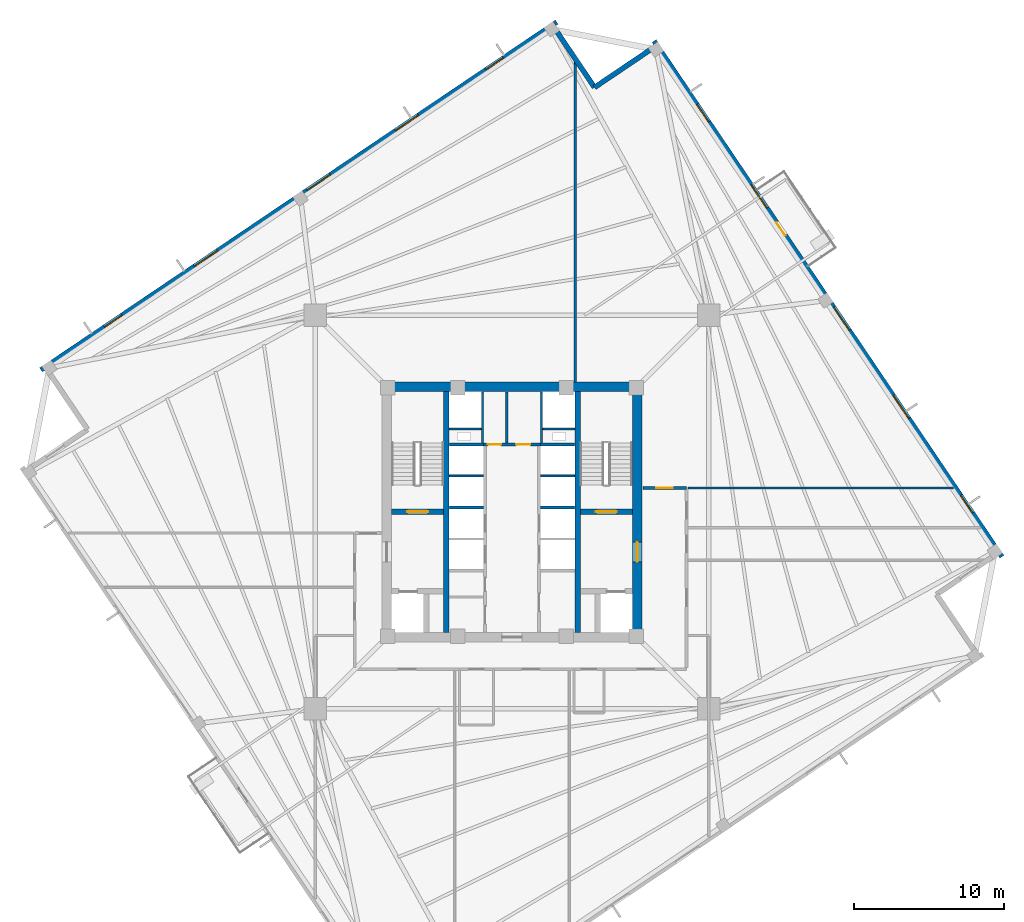
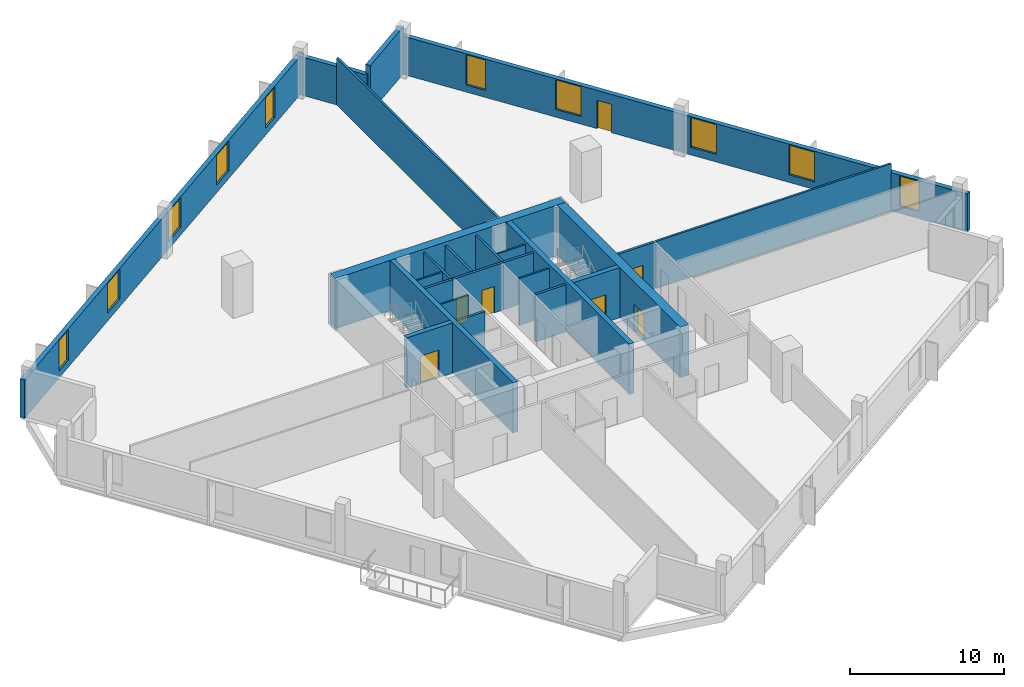
# One storey, part 5 of 9: 25 walls, 10 windows, 7 doors, 17 openings.
"""IFC4 building model written with IfcOpenShell, lengths in metres."""

from ifc_helpers import new_model, si_unit, direction, frame, frame_2d, origin, place, context, subcontext, project, spatial, rectangle, extrude, source, transform, mapped, material, layer, layer_set, type_object, element, fill, save


model = new_model("IFC4")

# Units and contexts
model_context = context("Model", 3, precision=1e-05, world=origin(), true_north=direction((0.0, 1.0)))
body_context = subcontext(model_context, "Body", "Model", "MODEL_VIEW")
ifc_project = project(units=[si_unit("LENGTHUNIT", "METRE"), si_unit("AREAUNIT", "SQUARE_METRE"), si_unit("VOLUMEUNIT", "CUBIC_METRE"), si_unit("PLANEANGLEUNIT", "RADIAN"), si_unit("MASSUNIT", "GRAM", prefix="KILO"), si_unit("THERMODYNAMICTEMPERATUREUNIT", "KELVIN")], contexts=[model_context])

# Site, building, storey
site_placement = place(None, origin())
site = spatial("IfcSite", under=ifc_project, at=site_placement, CompositionType="ELEMENT")
building_placement = place(site_placement, origin())
building = spatial("IfcBuilding", under=site, at=building_placement, Name="Kosmvard Interchange Tower", CompositionType="ELEMENT")
storey_placement = place(building_placement, frame((0.0, 0.0, 168.39990234375)))
storey = spatial("IfcBuildingStorey", under=building, at=storey_placement, Name="L40", CompositionType="ELEMENT", Elevation=168.39990234375)

# Walls
ifc_material_1 = material(Name="Acoustic gypsum partition system")
ifc_layer_1 = layer(ifc_material_1, 0.14990234375, Name="Acoustic gypsum partition system")
ifc_layer_set_1 = layer_set([ifc_layer_1], Name="Acoustic gypsum partition system")
wall_type_1 = type_object("IfcWallType", Name="Acoustic Suite & Meeting Partition 150", PredefinedType="PARTITIONING", material=ifc_layer_set_1)
wall_1_placement = place(storey_placement, frame((4.199951171875, 8.655029296875, 0.0), z_axis=(0.0, 0.0, 1.0), x_axis=(0.0, 1.0, 0.0)))
element("IfcWall", 1, at=wall_1_placement, inside=storey, type_object=wall_type_1, Name="L40 Room Partition 01.1", PredefinedType="PARTITIONING", context=body_context, shape_type="SweptSolid", body=[
    extrude(rectangle(XDim=21.286376953125, YDim=0.14990234375, at=frame_2d((10.64306640625, 0.0))), origin(), (0.0, 0.0, 1.0), 3.739990234375),
])
wall_2_placement = place(storey_placement, frame((11.695068359375, 1.60009765625, 0.0), z_axis=(0.0, 0.0, 1.0), x_axis=(1.0, 0.0, 0.0)))
element("IfcWall", 2, at=wall_2_placement, inside=storey, type_object=wall_type_1, Name="L40 Room Partition 04.1", PredefinedType="PARTITIONING", context=body_context, shape_type="SweptSolid", body=[
    extrude(rectangle(XDim=17.652587890625, YDim=0.14990234375, at=frame_2d((8.826171875, 0.0))), origin(), (0.0, 0.0, 1.0), 3.739990234375),
])
ifc_material_2 = material(Name="Fire-rated gypsum partition system")
ifc_layer_2 = layer(ifc_material_2, 0.159912109375, Name="Fire-rated gypsum partition system")
ifc_layer_set_2 = layer_set([ifc_layer_2], Name="Fire-rated gypsum partition system")
wall_type_2 = type_object("IfcWallType", Name="Core Compartment & Shuttle Lobby Partition 160", PredefinedType="PARTITIONING", material=ifc_layer_set_2)
for number, where, z_axis, x_axis, name in (
    (3, (-1.9599609375, 4.580078125, 0.0), (0.0, 0.0, 1.0), (0.0, 1.0, 0.0), "L40 North Core West Wall"),
    (4, (1.9599609375, 4.580078125, 0.0), (0.0, 0.0, 1.0), (0.0, 1.0, 0.0), "L40 North Core East Wall"),
):
    element("IfcWall", number, at=place(storey_placement, frame(where, z_axis=z_axis, x_axis=x_axis)), inside=storey, type_object=wall_type_2, Name=name, PredefinedType="PARTITIONING", context=body_context, shape_type="SweptSolid", body=[
        extrude(rectangle(XDim=3.39990234375, YDim=0.159912109375, at=frame_2d((1.699951171875, 0.0))), origin(), (0.0, 0.0, 1.0), 3.739990234375),
    ])
ifc_material_3 = material(Name="Concrete blockwork masonry", Category="masonry")
ifc_layer_3 = layer(ifc_material_3, 0.159912109375, Name="Concrete blockwork masonry")
ifc_layer_set_3 = layer_set([ifc_layer_3], Name="Concrete blockwork masonry")
wall_type_3 = type_object("IfcWallType", Name="Core Enclosure Split Wall 160", PredefinedType="PARTITIONING", material=ifc_layer_set_3)
wall_3_placement = place(storey_placement, frame((-0.35009765625, 4.60009765625, 0.0), z_axis=(0.0, 0.0, 1.0), x_axis=(0.0, 1.0, 0.0)))
element("IfcWall", 5, at=wall_3_placement, inside=storey, type_object=wall_type_3, Name="L40 Core K2 Split Wall", PredefinedType="PARTITIONING", context=body_context, shape_type="SweptSolid", body=[
    extrude(rectangle(XDim=3.3798828125, YDim=0.159912109375, at=frame_2d((1.68994140625, 0.0))), origin(), (0.0, 0.0, 1.0), 3.739990234375),
])

# Wall, openings, doors
ifc_layer_4 = layer(ifc_material_2, 0.179931640625, Name="Fire-rated gypsum partition system")
ifc_layer_set_4 = layer_set([ifc_layer_4], Name="Fire-rated gypsum partition system")
wall_type_4 = type_object("IfcWallType", Name="Corridor & Hotel Compartment Partition 180", PredefinedType="PARTITIONING", material=ifc_layer_set_4)
wall_4_placement = place(storey_placement, frame((-1.8798828125, 4.489990234375, 0.0), z_axis=(0.0, 0.0, 1.0), x_axis=(1.0, 0.0, 0.0)))
wall_4 = element("IfcWall", 6, at=wall_4_placement, inside=storey, type_object=wall_type_4, Name="L40 Lift Lobby North Partition", PredefinedType="PARTITIONING", context=body_context, shape_type="SweptSolid", body=[
    extrude(rectangle(XDim=3.759765625, YDim=0.179931640625, at=frame_2d((1.8798828125, 0.0))), origin(), (0.0, 0.0, 1.0), 3.739990234375),
])
opening_1_placement = place(wall_4_placement, frame((0.280029296875, 0.0, 0.0)))
opening_1 = element("IfcOpeningElement", 7, at=opening_1_placement, cuts=wall_4, Name="Opening L40-KD1", PredefinedType="OPENING", context=body_context, shape_type="SweptSolid", body=[
    extrude(rectangle(XDim=0.8798828125, YDim=2.10009765625, at=frame_2d((0.43994140625, 1.050048828125))), frame((0.0, 0.10009765625, 0.0), z_axis=(0.0, -1.0, 0.0), x_axis=(1.0, 0.0, 0.0)), (0.0, 0.0, 1.0), 0.199951171875),
])
opening_2_placement = place(wall_4_placement, frame((2.14990234375, 0.0, 0.0)))
opening_2 = element("IfcOpeningElement", 8, at=opening_2_placement, cuts=wall_4, Name="Opening L40-KD2", PredefinedType="OPENING", context=body_context, shape_type="SweptSolid", body=[
    extrude(rectangle(XDim=0.949951171875, YDim=2.10009765625, at=frame_2d((0.47509765625, 1.050048828125))), frame((0.0, 0.10009765625, 0.0), z_axis=(0.0, -1.0, 0.0), x_axis=(1.0, 0.0, 0.0)), (0.0, 0.0, 1.0), 0.199951171875),
])
ifc_material_4 = material(Name="Painted fire-rated timber leaf", Category="wood")
door_type_1 = type_object("IfcDoorType", Name="Core Service Fire Door 950x2100 EI30", OperationType="NOTDEFINED", PredefinedType="DOOR", material=ifc_material_4)
shared_shape_1 = source(origin(), body_context, "Body", "SweptSolid", [
    extrude(rectangle(XDim=0.949951171875, YDim=2.10009765625, at=frame_2d((0.47509765625, 1.050048828125))), frame((0.0, 0.02490234375, 0.0), z_axis=(0.0, -1.0, 0.0), x_axis=(1.0, 0.0, 0.0)), (0.0, 0.0, 1.0), 0.050048828125),
])
door_1_placement = place(opening_2_placement, origin())
door_1 = element("IfcDoor", 9, at=door_1_placement, inside=storey, type_object=door_type_1, Name="L40 Core Tea Pantry Door", OperationType="SINGLE_SWING_RIGHT", OverallHeight=2.10009765625, OverallWidth=0.949951171875, PredefinedType="DOOR", context=body_context, shape_type="MappedRepresentation", body=[
    mapped(shared_shape_1, transform((0.0, 0.0, 0.0), scale=1.0)),
])
fill(opening_2, door_1)
door_type_2 = type_object("IfcDoorType", Name="Core Cupboard Fire Door 880x2100 EI30", OperationType="NOTDEFINED", PredefinedType="DOOR", material=ifc_material_4)
shared_shape_2 = source(origin(), body_context, "Body", "SweptSolid", [
    extrude(rectangle(XDim=0.8798828125, YDim=2.10009765625, at=frame_2d((0.43994140625, 1.050048828125))), frame((0.0, 0.02490234375, 0.0), z_axis=(0.0, -1.0, 0.0), x_axis=(1.0, 0.0, 0.0)), (0.0, 0.0, 1.0), 0.050048828125),
])
door_2_placement = place(opening_1_placement, origin())
door_2 = element("IfcDoor", 10, at=door_2_placement, inside=storey, type_object=door_type_2, Name="L40 Core Cleaner Cupboard Door", OperationType="SINGLE_SWING_LEFT", OverallHeight=2.10009765625, OverallWidth=0.8798828125, PredefinedType="DOOR", context=body_context, shape_type="MappedRepresentation", body=[
    mapped(shared_shape_2, transform((0.0, 0.0, 0.0), scale=1.0)),
])
fill(opening_1, door_2)

# Wall, opening, door
wall_5_placement = place(storey_placement, frame((8.699951171875, 1.60009765625, 0.0), z_axis=(0.0, 0.0, 1.0), x_axis=(1.0, 0.0, 0.0)))
wall_5 = element("IfcWall", 11, at=wall_5_placement, inside=storey, type_object=wall_type_4, Name="L40 Corridor Wall CNE", PredefinedType="PARTITIONING", context=body_context, shape_type="SweptSolid", body=[
    extrude(rectangle(XDim=2.900146484375, YDim=0.179931640625, at=frame_2d((1.4501953125, 0.0))), origin(), (0.0, 0.0, 1.0), 3.739990234375),
])
opening_3_placement = place(wall_5_placement, frame((0.89990234375, 0.0, 0.0)))
opening_3 = element("IfcOpeningElement", 12, at=opening_3_placement, cuts=wall_5, Name="Opening L40-D04", PredefinedType="OPENING", context=body_context, shape_type="SweptSolid", body=[
    extrude(rectangle(XDim=1.10009765625, YDim=2.199951171875, at=frame_2d((0.550048828125, 1.10009765625))), frame((0.0, 0.10009765625, 0.0), z_axis=(0.0, -1.0, 0.0), x_axis=(1.0, 0.0, 0.0)), (0.0, 0.0, 1.0), 0.199951171875),
])
ifc_material_5 = material(Name="Engineered oak fire-rated timber", Category="wood")
door_type_3 = type_object("IfcDoorType", Name="Office Suite Entrance Door 1100x2200 FD30S", OperationType="NOTDEFINED", PredefinedType="DOOR", material=ifc_material_5)
shared_shape_3 = source(origin(), body_context, "Body", "SweptSolid", [
    extrude(rectangle(XDim=1.10009765625, YDim=2.199951171875, at=frame_2d((0.550048828125, 1.10009765625))), frame((0.0, 0.02490234375, 0.0), z_axis=(0.0, -1.0, 0.0), x_axis=(1.0, 0.0, 0.0)), (0.0, 0.0, 1.0), 0.050048828125),
])
door_3_placement = place(opening_3_placement, origin())
door_3 = element("IfcDoor", 13, at=door_3_placement, inside=storey, type_object=door_type_3, Name="L40 North-East Open Trading Floor Door", OperationType="SINGLE_SWING_RIGHT", OverallHeight=2.199951171875, OverallWidth=1.10009765625, PredefinedType="DOOR", context=body_context, shape_type="MappedRepresentation", body=[
    mapped(shared_shape_3, transform((0.0, 0.0, 0.0), scale=1.0)),
])
fill(opening_3, door_3)

# Wall
ifc_material_6 = material(Name="Concrete C70/85", Category="concrete")
ifc_layer_5 = layer(ifc_material_6, 0.64990234375, Name="Concrete C70/85")
ifc_layer_set_5 = layer_set([ifc_layer_5], Name="Concrete C70/85")
wall_type_5 = type_object("IfcWallType", Name="Mid Core Shear Wall 650 C70/85", PredefinedType="SHEAR", material=ifc_layer_set_5)
wall_6_placement = place(storey_placement, frame((-8.64990234375, 8.324951171875, 0.0), z_axis=(0.0, 0.0, 1.0), x_axis=(1.0, 0.0, 0.0)))
element("IfcWall", 14, at=wall_6_placement, inside=storey, type_object=wall_type_5, Name="L40 Core Shear Wall CW-N", PredefinedType="SHEAR", context=body_context, shape_type="SweptSolid", body=[
    extrude(rectangle(XDim=17.2998046875, YDim=0.64990234375, at=frame_2d((8.64990234375, 0.0))), origin(), (0.0, 0.0, 1.0), 4.0),
])

# Wall, opening, door
wall_7_placement = place(storey_placement, frame((8.324951171875, -8.0, 0.0), z_axis=(0.0, 0.0, 1.0), x_axis=(0.0, 1.0, 0.0)))
wall_7 = element("IfcWall", 15, at=wall_7_placement, inside=storey, type_object=wall_type_5, Name="L40 Core Shear Wall CW-E", PredefinedType="SHEAR", context=body_context, shape_type="SweptSolid", body=[
    extrude(rectangle(XDim=16.0, YDim=0.64990234375, at=frame_2d((8.0, 0.0))), origin(), (0.0, 0.0, 1.0), 4.0),
])
opening_4_placement = place(wall_7_placement, frame((4.68994140625, 0.0, 0.0)))
opening_4 = element("IfcOpeningElement", 16, at=opening_4_placement, cuts=wall_7, Name="Opening L40-FD2", PredefinedType="OPENING", context=body_context, shape_type="SweptSolid", body=[
    extrude(rectangle(XDim=1.300048828125, YDim=2.199951171875, at=frame_2d((0.64990234375, 1.10009765625))), frame((0.0, 0.3349609375, 0.0), z_axis=(0.0, -1.0, 0.0), x_axis=(1.0, 0.0, 0.0)), (0.0, 0.0, 1.0), 0.669921875),
])
ifc_material_7 = material(Name="Painted fire-rated steel leaf", Category="steel")
door_type_4 = type_object("IfcDoorType", Name="Firefighting Lobby Door 1300x2200 EI60", OperationType="NOTDEFINED", PredefinedType="DOOR", material=ifc_material_7)
shared_shape_4 = source(origin(), body_context, "Body", "SweptSolid", [
    extrude(rectangle(XDim=1.300048828125, YDim=2.199951171875, at=frame_2d((0.64990234375, 1.10009765625))), frame((0.0, 0.02490234375, 0.0), z_axis=(0.0, -1.0, 0.0), x_axis=(1.0, 0.0, 0.0)), (0.0, 0.0, 1.0), 0.050048828125),
])
door_4_placement = place(opening_4_placement, origin())
door_4 = element("IfcDoor", 17, at=door_4_placement, inside=storey, type_object=door_type_4, Name="L40 Firefighting Lobby East Door", OperationType="SINGLE_SWING_RIGHT", OverallHeight=2.199951171875, OverallWidth=1.300048828125, PredefinedType="DOOR", context=body_context, shape_type="MappedRepresentation", body=[
    mapped(shared_shape_4, transform((0.0, 0.0, 0.0), scale=1.0)),
])
fill(opening_4, door_4)

# Wall, openings, door, windows
ifc_material_8 = material(Name="Precast concrete C45/55", Category="concrete")
ifc_layer_6 = layer(ifc_material_8, 0.340087890625, Name="Precast concrete C45/55")
ifc_layer_set_6 = layer_set([ifc_layer_6], Name="Precast concrete C45/55")
wall_type_6 = type_object("IfcWallType", Name="Mid Tower Precast Pier Wall 340 C45/55", PredefinedType="STANDARD", material=ifc_layer_set_6)
wall_8_placement = place(storey_placement, frame((32.55810546875, -2.971923828125, 0.0), z_axis=(0.0, 0.0, 1.0), x_axis=(-0.559194910251, 0.829036218961, 0.0)))
wall_8 = element("IfcWall", 18, at=wall_8_placement, inside=storey, type_object=wall_type_6, Name="L40 Precast Facade Wall F-E", PredefinedType="STANDARD", context=body_context, shape_type="SweptSolid", body=[
    extrude(rectangle(XDim=41.340087890625, YDim=0.340087890625, at=frame_2d((20.669921875, 0.0))), origin(), (0.0, 0.0, 1.0), 3.0400390625),
])
opening_5_placement = place(wall_8_placement, frame((25.7451171875, 0.0, 0.0)))
opening_5 = element("IfcOpeningElement", 19, at=opening_5_placement, cuts=wall_8, Name="Opening L40-BDE", PredefinedType="OPENING", context=body_context, shape_type="SweptSolid", body=[
    extrude(rectangle(XDim=1.050048828125, YDim=2.25, at=frame_2d((0.52490234375, 1.125))), frame((0.0, 0.18017578125, 0.0), z_axis=(0.0, -1.0, 0.0), x_axis=(1.0, 0.0, 0.0)), (0.0, 0.0, 1.0), 0.360107421875),
])
opening_6_placement = place(wall_8_placement, frame((3.5107421875, 0.0, 0.56005859375)))
opening_6 = element("IfcOpeningElement", 20, at=opening_6_placement, cuts=wall_8, Name="Opening L40-W06", PredefinedType="OPENING", context=body_context, shape_type="SweptSolid", body=[
    extrude(rectangle(XDim=1.39990234375, YDim=2.39990234375, at=frame_2d((0.699951171875, 1.199951171875))), frame((0.0, 0.18017578125, 0.0), z_axis=(0.0, -1.0, 0.0), x_axis=(1.0, 0.0, 0.0)), (0.0, 0.0, 1.0), 0.360107421875),
])
opening_7_placement = place(wall_8_placement, frame((11.063720703125, 0.0, 0.610107421875)))
opening_7 = element("IfcOpeningElement", 21, at=opening_7_placement, cuts=wall_8, Name="Opening L40-W07", PredefinedType="OPENING", context=body_context, shape_type="SweptSolid", body=[
    extrude(rectangle(XDim=1.85009765625, YDim=2.35009765625, at=frame_2d((0.925048828125, 1.175048828125))), frame((0.0, 0.18017578125, 0.0), z_axis=(0.0, -1.0, 0.0), x_axis=(1.0, 0.0, 0.0)), (0.0, 0.0, 1.0), 0.360107421875),
])
opening_8_placement = place(wall_8_placement, frame((18.168212890625, 0.0, 0.610107421875)))
opening_8 = element("IfcOpeningElement", 22, at=opening_8_placement, cuts=wall_8, Name="Opening L40-W08", PredefinedType="OPENING", context=body_context, shape_type="SweptSolid", body=[
    extrude(rectangle(XDim=1.85009765625, YDim=2.35009765625, at=frame_2d((0.925048828125, 1.175048828125))), frame((0.0, 0.18017578125, 0.0), z_axis=(0.0, -1.0, 0.0), x_axis=(1.0, 0.0, 0.0)), (0.0, 0.0, 1.0), 0.360107421875),
])
opening_9_placement = place(wall_8_placement, frame((27.936279296875, 0.0, 0.610107421875)))
opening_9 = element("IfcOpeningElement", 23, at=opening_9_placement, cuts=wall_8, Name="Opening L40-W09", PredefinedType="OPENING", context=body_context, shape_type="SweptSolid", body=[
    extrude(rectangle(XDim=1.85009765625, YDim=2.35009765625, at=frame_2d((0.925048828125, 1.175048828125))), frame((0.0, 0.18017578125, 0.0), z_axis=(0.0, -1.0, 0.0), x_axis=(1.0, 0.0, 0.0)), (0.0, 0.0, 1.0), 0.360107421875),
])
opening_10_placement = place(wall_8_placement, frame((34.852294921875, 0.0, 0.56005859375)))
opening_10 = element("IfcOpeningElement", 24, at=opening_10_placement, cuts=wall_8, Name="Opening L40-W10", PredefinedType="OPENING", context=body_context, shape_type="SweptSolid", body=[
    extrude(rectangle(XDim=1.39990234375, YDim=2.39990234375, at=frame_2d((0.699951171875, 1.199951171875))), frame((0.0, 0.18017578125, 0.0), z_axis=(0.0, -1.0, 0.0), x_axis=(1.0, 0.0, 0.0)), (0.0, 0.0, 1.0), 0.360107421875),
])
ifc_material_9 = material(Name="Anodised aluminium and safety glass", Category="aluminium")
door_type_5 = type_object("IfcDoorType", Name="Tree-Balcony Glazed Door 1050x2250", OperationType="NOTDEFINED", PredefinedType="DOOR", material=ifc_material_9)
shared_shape_5 = source(origin(), body_context, "Body", "SweptSolid", [
    extrude(rectangle(XDim=1.050048828125, YDim=2.25, at=frame_2d((0.52490234375, 1.125))), frame((0.0, 0.02490234375, 0.0), z_axis=(0.0, -1.0, 0.0), x_axis=(1.0, 0.0, 0.0)), (0.0, 0.0, 1.0), 0.050048828125),
])
door_5_placement = place(opening_5_placement, origin())
door_5 = element("IfcDoor", 25, at=door_5_placement, inside=storey, type_object=door_type_5, Name="L40 Tree-Balcony Door BAL-L40-E", OperationType="SINGLE_SWING_LEFT", OverallHeight=2.25, OverallWidth=1.050048828125, PredefinedType="DOOR", context=body_context, shape_type="MappedRepresentation", body=[
    mapped(shared_shape_5, transform((0.0, 0.0, 0.0), scale=1.0)),
])
fill(opening_5, door_5)
ifc_material_10 = material(Name="Low-E solar-control double glazing", Category="glass")
window_type_1 = type_object("IfcWindowType", Name="Notched Corner Feature Window 1400x2400", PartitioningType="SINGLE_PANEL", PredefinedType="WINDOW", material=ifc_material_10)
shared_shape_6 = source(origin(), body_context, "Body", "SweptSolid", [
    extrude(rectangle(XDim=1.39990234375, YDim=2.39990234375, at=frame_2d((0.699951171875, 1.199951171875))), frame((0.0, 0.030029296875, 0.0), z_axis=(0.0, -1.0, 0.0), x_axis=(1.0, 0.0, 0.0)), (0.0, 0.0, 1.0), 0.06005859375),
])
window_1_placement = place(opening_6_placement, origin())
window_1 = element("IfcWindow", 26, at=window_1_placement, inside=storey, type_object=window_type_1, Name="L40 Facade Punched Window 06", OverallHeight=2.39990234375, OverallWidth=1.39990234375, PartitioningType="SINGLE_PANEL", PredefinedType="WINDOW", context=body_context, shape_type="MappedRepresentation", body=[
    mapped(shared_shape_6, transform((0.0, 0.0, 0.0), scale=1.0)),
])
fill(opening_6, window_1)
window_2_placement = place(opening_10_placement, origin())
window_2 = element("IfcWindow", 27, at=window_2_placement, inside=storey, type_object=window_type_1, Name="L40 Facade Punched Window 10", OverallHeight=2.39990234375, OverallWidth=1.39990234375, PartitioningType="SINGLE_PANEL", PredefinedType="WINDOW", context=body_context, shape_type="MappedRepresentation", body=[
    mapped(shared_shape_6, transform((0.0, 0.0, 0.0), scale=1.0)),
])
fill(opening_10, window_2)
window_type_2 = type_object("IfcWindowType", Name="Zone 3 Office Punched Window 1850x2350", PartitioningType="SINGLE_PANEL", PredefinedType="WINDOW", material=ifc_material_10)
shared_shape_7 = source(origin(), body_context, "Body", "SweptSolid", [
    extrude(rectangle(XDim=1.85009765625, YDim=2.35009765625, at=frame_2d((0.925048828125, 1.175048828125))), frame((0.0, 0.030029296875, 0.0), z_axis=(0.0, -1.0, 0.0), x_axis=(1.0, 0.0, 0.0)), (0.0, 0.0, 1.0), 0.06005859375),
])
window_3_placement = place(opening_7_placement, origin())
window_3 = element("IfcWindow", 28, at=window_3_placement, inside=storey, type_object=window_type_2, Name="L40 Facade Punched Window 07", OverallHeight=2.35009765625, OverallWidth=1.85009765625, PartitioningType="SINGLE_PANEL", PredefinedType="WINDOW", context=body_context, shape_type="MappedRepresentation", body=[
    mapped(shared_shape_7, transform((0.0, 0.0, 0.0), scale=1.0)),
])
fill(opening_7, window_3)
window_4_placement = place(opening_8_placement, origin())
window_4 = element("IfcWindow", 29, at=window_4_placement, inside=storey, type_object=window_type_2, Name="L40 Facade Punched Window 08", OverallHeight=2.35009765625, OverallWidth=1.85009765625, PartitioningType="SINGLE_PANEL", PredefinedType="WINDOW", context=body_context, shape_type="MappedRepresentation", body=[
    mapped(shared_shape_7, transform((0.0, 0.0, 0.0), scale=1.0)),
])
fill(opening_8, window_4)
window_5_placement = place(opening_9_placement, origin())
window_5 = element("IfcWindow", 30, at=window_5_placement, inside=storey, type_object=window_type_2, Name="L40 Facade Punched Window 09", OverallHeight=2.35009765625, OverallWidth=1.85009765625, PartitioningType="SINGLE_PANEL", PredefinedType="WINDOW", context=body_context, shape_type="MappedRepresentation", body=[
    mapped(shared_shape_7, transform((0.0, 0.0, 0.0), scale=1.0)),
])
fill(opening_9, window_5)

# Walls
wall_9_placement = place(storey_placement, frame((9.631103515625, 31.018798828125, 0.0), z_axis=(0.0, 0.0, 1.0), x_axis=(-0.829025804298, -0.559210350234, 0.0)))
element("IfcWall", 31, at=wall_9_placement, inside=storey, type_object=wall_type_6, Name="L40 Precast Facade Wall N-NE1", PredefinedType="STANDARD", context=body_context, shape_type="SweptSolid", body=[
    extrude(rectangle(XDim=5.000244140625, YDim=0.340087890625, at=frame_2d((2.5, 0.0))), origin(), (0.0, 0.0, 1.0), 3.739990234375),
])
wall_10_placement = place(storey_placement, frame((5.48583984375, 28.22265625, 0.0), z_axis=(0.0, 0.0, 1.0), x_axis=(-0.559171107879, 0.82905227345, 0.0)))
element("IfcWall", 32, at=wall_10_placement, inside=storey, type_object=wall_type_6, Name="L40 Precast Facade Wall N-NE2", PredefinedType="STANDARD", context=body_context, shape_type="SweptSolid", body=[
    extrude(rectangle(XDim=5.169921875, YDim=0.340087890625, at=frame_2d((2.5849609375, 0.0))), origin(), (0.0, 0.0, 1.0), 3.0400390625),
])

# Wall, openings, windows
wall_11_placement = place(storey_placement, frame((2.971923828125, 32.55810546875, 0.0), z_axis=(0.0, 0.0, 1.0), x_axis=(-0.829036218961, -0.559194910251, 0.0)))
wall_11 = element("IfcWall", 33, at=wall_11_placement, inside=storey, type_object=wall_type_6, Name="L40 Precast Facade Wall F-N", PredefinedType="STANDARD", context=body_context, shape_type="SweptSolid", body=[
    extrude(rectangle(XDim=41.340087890625, YDim=0.340087890625, at=frame_2d((20.669921875, 0.0))), origin(), (0.0, 0.0, 1.0), 3.0400390625),
])
opening_11_placement = place(wall_11_placement, frame((4.2607421875, 0.0, 0.56005859375)))
opening_11 = element("IfcOpeningElement", 34, at=opening_11_placement, cuts=wall_11, Name="Opening L40-W11", PredefinedType="OPENING", context=body_context, shape_type="SweptSolid", body=[
    extrude(rectangle(XDim=1.39990234375, YDim=2.39990234375, at=frame_2d((0.699951171875, 1.199951171875))), frame((0.0, 0.18017578125, 0.0), z_axis=(0.0, -1.0, 0.0), x_axis=(1.0, 0.0, 0.0)), (0.0, 0.0, 1.0), 0.360107421875),
])
opening_12_placement = place(wall_11_placement, frame((11.063720703125, 0.0, 0.610107421875)))
opening_12 = element("IfcOpeningElement", 35, at=opening_12_placement, cuts=wall_11, Name="Opening L40-W12", PredefinedType="OPENING", context=body_context, shape_type="SweptSolid", body=[
    extrude(rectangle(XDim=1.85009765625, YDim=2.35009765625, at=frame_2d((0.925048828125, 1.175048828125))), frame((0.0, 0.18017578125, 0.0), z_axis=(0.0, -1.0, 0.0), x_axis=(1.0, 0.0, 0.0)), (0.0, 0.0, 1.0), 0.360107421875),
])
opening_13_placement = place(wall_11_placement, frame((18.168212890625, 0.0, 0.610107421875)))
opening_13 = element("IfcOpeningElement", 36, at=opening_13_placement, cuts=wall_11, Name="Opening L40-W13", PredefinedType="OPENING", context=body_context, shape_type="SweptSolid", body=[
    extrude(rectangle(XDim=1.85009765625, YDim=2.35009765625, at=frame_2d((0.925048828125, 1.175048828125))), frame((0.0, 0.18017578125, 0.0), z_axis=(0.0, -1.0, 0.0), x_axis=(1.0, 0.0, 0.0)), (0.0, 0.0, 1.0), 0.360107421875),
])
opening_14_placement = place(wall_11_placement, frame((27.186279296875, 0.0, 0.610107421875)))
opening_14 = element("IfcOpeningElement", 37, at=opening_14_placement, cuts=wall_11, Name="Opening L40-W14", PredefinedType="OPENING", context=body_context, shape_type="SweptSolid", body=[
    extrude(rectangle(XDim=1.85009765625, YDim=2.35009765625, at=frame_2d((0.925048828125, 1.175048828125))), frame((0.0, 0.18017578125, 0.0), z_axis=(0.0, -1.0, 0.0), x_axis=(1.0, 0.0, 0.0)), (0.0, 0.0, 1.0), 0.360107421875),
])
opening_15_placement = place(wall_11_placement, frame((34.852294921875, 0.0, 0.56005859375)))
opening_15 = element("IfcOpeningElement", 38, at=opening_15_placement, cuts=wall_11, Name="Opening L40-W15", PredefinedType="OPENING", context=body_context, shape_type="SweptSolid", body=[
    extrude(rectangle(XDim=1.39990234375, YDim=2.39990234375, at=frame_2d((0.699951171875, 1.199951171875))), frame((0.0, 0.18017578125, 0.0), z_axis=(0.0, -1.0, 0.0), x_axis=(1.0, 0.0, 0.0)), (0.0, 0.0, 1.0), 0.360107421875),
])
window_6_placement = place(opening_11_placement, origin())
window_6 = element("IfcWindow", 39, at=window_6_placement, inside=storey, type_object=window_type_1, Name="L40 Facade Punched Window 11", OverallHeight=2.39990234375, OverallWidth=1.39990234375, PartitioningType="SINGLE_PANEL", PredefinedType="WINDOW", context=body_context, shape_type="MappedRepresentation", body=[
    mapped(shared_shape_6, transform((0.0, 0.0, 0.0), scale=1.0)),
])
fill(opening_11, window_6)
window_7_placement = place(opening_15_placement, origin())
window_7 = element("IfcWindow", 40, at=window_7_placement, inside=storey, type_object=window_type_1, Name="L40 Facade Punched Window 15", OverallHeight=2.39990234375, OverallWidth=1.39990234375, PartitioningType="SINGLE_PANEL", PredefinedType="WINDOW", context=body_context, shape_type="MappedRepresentation", body=[
    mapped(shared_shape_6, transform((0.0, 0.0, 0.0), scale=1.0)),
])
fill(opening_15, window_7)
window_8_placement = place(opening_12_placement, origin())
window_8 = element("IfcWindow", 41, at=window_8_placement, inside=storey, type_object=window_type_2, Name="L40 Facade Punched Window 12", OverallHeight=2.35009765625, OverallWidth=1.85009765625, PartitioningType="SINGLE_PANEL", PredefinedType="WINDOW", context=body_context, shape_type="MappedRepresentation", body=[
    mapped(shared_shape_7, transform((0.0, 0.0, 0.0), scale=1.0)),
])
fill(opening_12, window_8)
window_9_placement = place(opening_13_placement, origin())
window_9 = element("IfcWindow", 42, at=window_9_placement, inside=storey, type_object=window_type_2, Name="L40 Facade Punched Window 13", OverallHeight=2.35009765625, OverallWidth=1.85009765625, PartitioningType="SINGLE_PANEL", PredefinedType="WINDOW", context=body_context, shape_type="MappedRepresentation", body=[
    mapped(shared_shape_7, transform((0.0, 0.0, 0.0), scale=1.0)),
])
fill(opening_13, window_9)
window_10_placement = place(opening_14_placement, origin())
window_10 = element("IfcWindow", 43, at=window_10_placement, inside=storey, type_object=window_type_2, Name="L40 Facade Punched Window 14", OverallHeight=2.35009765625, OverallWidth=1.85009765625, PartitioningType="SINGLE_PANEL", PredefinedType="WINDOW", context=body_context, shape_type="MappedRepresentation", body=[
    mapped(shared_shape_7, transform((0.0, 0.0, 0.0), scale=1.0)),
])
fill(opening_14, window_10)

# Walls
ifc_layer_7 = layer(ifc_material_3, 0.179931640625, Name="Concrete blockwork masonry")
ifc_layer_set_7 = layer_set([ifc_layer_7], Name="Concrete blockwork masonry")
wall_type_7 = type_object("IfcWallType", Name="Riser & Lift Bank Divider Wall 180", PredefinedType="PARTITIONING", material=ifc_layer_set_7)
for number, where, z_axis, x_axis, name in (
    (44, (-4.169921875, 0.300048828125, 0.0), (0.0, 0.0, 1.0), (1.0, 0.0, 0.0), "L40 West Bank Divider BD2"),
    (45, (1.889892578125, 0.300048828125, 0.0), (0.0, 0.0, 1.0), (1.0, 0.0, 0.0), "L40 East Bank Divider BD2"),
    (46, (-4.169921875, 4.489990234375, 0.0), (0.0, 0.0, 1.0), (1.0, 0.0, 0.0), "L40 West Bank Divider BD3"),
    (47, (1.889892578125, 4.489990234375, 0.0), (0.0, 0.0, 1.0), (1.0, 0.0, 0.0), "L40 East Bank Divider BD3"),
):
    element("IfcWall", number, at=place(storey_placement, frame(where, z_axis=z_axis, x_axis=x_axis)), inside=storey, type_object=wall_type_7, Name=name, PredefinedType="PARTITIONING", context=body_context, shape_type="SweptSolid", body=[
        extrude(rectangle(XDim=2.280029296875, YDim=0.179931640625, at=frame_2d((1.14013671875, 0.0))), origin(), (0.0, 0.0, 1.0), 3.739990234375),
    ])
ifc_material_11 = material(Name="Fire-rated gypsum shaftwall system")
ifc_layer_8 = layer(ifc_material_11, 0.1201171875, Name="Fire-rated gypsum shaftwall system")
ifc_layer_set_8 = layer_set([ifc_layer_8], Name="Fire-rated gypsum shaftwall system")
wall_type_8 = type_object("IfcWallType", Name="Shaft & Riser Fire Partition 120 EI60", PredefinedType="PARTITIONING", material=ifc_layer_set_8)
for number, where, z_axis, x_axis, name in (
    (48, (-4.159912109375, 2.39990234375, 0.0), (0.0, 0.0, 1.0), (1.0, 0.0, 0.0), "L40 Shaft Divider PL-H1"),
    (49, (1.89990234375, 2.39990234375, 0.0), (0.0, 0.0, 1.0), (1.0, 0.0, 0.0), "L40 Shaft Divider PL-H3"),
):
    element("IfcWall", number, at=place(storey_placement, frame(where, z_axis=z_axis, x_axis=x_axis)), inside=storey, type_object=wall_type_8, Name=name, PredefinedType="PARTITIONING", context=body_context, shape_type="SweptSolid", body=[
        extrude(rectangle(XDim=2.260009765625, YDim=0.1201171875, at=frame_2d((1.1298828125, 0.0))), origin(), (0.0, 0.0, 1.0), 3.739990234375),
    ])
for number, where, z_axis, x_axis, name in (
    (50, (-4.159912109375, 5.52001953125, 0.0), (0.0, 0.0, 1.0), (1.0, 0.0, 0.0), "L40 Riser Shaft Divider W"),
    (51, (2.06005859375, 5.52001953125, 0.0), (0.0, 0.0, 1.0), (1.0, 0.0, 0.0), "L40 Riser Shaft Divider E"),
):
    element("IfcWall", number, at=place(storey_placement, frame(where, z_axis=z_axis, x_axis=x_axis)), inside=storey, type_object=wall_type_8, Name=name, PredefinedType="PARTITIONING", context=body_context, shape_type="SweptSolid", body=[
        extrude(rectangle(XDim=2.099853515625, YDim=0.1201171875, at=frame_2d((1.0498046875, 0.0))), origin(), (0.0, 0.0, 1.0), 3.739990234375),
    ])
ifc_material_12 = material(Name="Concrete C60/75", Category="concrete")
ifc_layer_9 = layer(ifc_material_12, 0.360107421875, Name="Concrete C60/75")
ifc_layer_set_9 = layer_set([ifc_layer_9], Name="Concrete C60/75")
wall_type_9 = type_object("IfcWallType", Name="Stair & Lift Shaft Shear Wall 360 C60/75", PredefinedType="SHEAR", material=ifc_layer_set_9)
for number, where, z_axis, x_axis, name in (
    (52, (-4.360107421875, -8.0, 0.0), (0.0, 0.0, 1.0), (0.0, 1.0, 0.0), "L40 Shaft Shear Wall SW-W"),
    (53, (4.360107421875, -8.0, 0.0), (0.0, 0.0, 1.0), (0.0, 1.0, 0.0), "L40 Shaft Shear Wall SW-E"),
):
    element("IfcWall", number, at=place(storey_placement, frame(where, z_axis=z_axis, x_axis=x_axis)), inside=storey, type_object=wall_type_9, Name=name, PredefinedType="SHEAR", context=body_context, shape_type="SweptSolid", body=[
        extrude(rectangle(XDim=16.0, YDim=0.360107421875, at=frame_2d((8.0, 0.0))), origin(), (0.0, 0.0, 1.0), 4.0),
    ])

# Wall, opening, door
wall_12_placement = place(storey_placement, frame((-8.0, 0.02001953125, 0.0), z_axis=(0.0, 0.0, 1.0), x_axis=(1.0, 0.0, 0.0)))
wall_12 = element("IfcWall", 54, at=wall_12_placement, inside=storey, type_object=wall_type_9, Name="L40 Shaft Shear Wall SW-ST1", PredefinedType="SHEAR", context=body_context, shape_type="SweptSolid", body=[
    extrude(rectangle(XDim=3.4599609375, YDim=0.360107421875, at=frame_2d((1.72998046875, 0.0))), origin(), (0.0, 0.0, 1.0), 4.0),
])
opening_16_placement = place(wall_12_placement, frame((1.030029296875, 0.0, 0.0)))
opening_16 = element("IfcOpeningElement", 55, at=opening_16_placement, cuts=wall_12, Name="Opening L40-SD1", PredefinedType="OPENING", context=body_context, shape_type="SweptSolid", body=[
    extrude(rectangle(XDim=1.39990234375, YDim=2.199951171875, at=frame_2d((0.699951171875, 1.10009765625))), frame((0.0, 0.18994140625, 0.0), z_axis=(0.0, -1.0, 0.0), x_axis=(1.0, 0.0, 0.0)), (0.0, 0.0, 1.0), 0.380126953125),
])
door_type_6 = type_object("IfcDoorType", Name="Protected Stair Door 1400x2200 FD60S", OperationType="NOTDEFINED", PredefinedType="DOOR", material=ifc_material_7)
shared_shape_8 = source(origin(), body_context, "Body", "SweptSolid", [
    extrude(rectangle(XDim=1.39990234375, YDim=2.199951171875, at=frame_2d((0.699951171875, 1.10009765625))), frame((0.0, 0.02490234375, 0.0), z_axis=(0.0, -1.0, 0.0), x_axis=(1.0, 0.0, 0.0)), (0.0, 0.0, 1.0), 0.050048828125),
])
door_6_placement = place(opening_16_placement, origin())
door_6 = element("IfcDoor", 56, at=door_6_placement, inside=storey, type_object=door_type_6, Name="L40 Stair ST-1 Enclosure Door", OperationType="SINGLE_SWING_LEFT", OverallHeight=2.199951171875, OverallWidth=1.39990234375, PredefinedType="DOOR", context=body_context, shape_type="MappedRepresentation", body=[
    mapped(shared_shape_8, transform((0.0, 0.0, 0.0), scale=1.0)),
])
fill(opening_16, door_6)

wall_13_placement = place(storey_placement, frame((4.5400390625, 0.02001953125, 0.0), z_axis=(0.0, 0.0, 1.0), x_axis=(1.0, 0.0, 0.0)))
wall_13 = element("IfcWall", 57, at=wall_13_placement, inside=storey, type_object=wall_type_9, Name="L40 Shaft Shear Wall SW-ST2", PredefinedType="SHEAR", context=body_context, shape_type="SweptSolid", body=[
    extrude(rectangle(XDim=3.4599609375, YDim=0.360107421875, at=frame_2d((1.72998046875, 0.0))), origin(), (0.0, 0.0, 1.0), 4.0),
])
opening_17_placement = place(wall_13_placement, frame((1.030029296875, 0.0, 0.0)))
opening_17 = element("IfcOpeningElement", 58, at=opening_17_placement, cuts=wall_13, Name="Opening L40-SD2", PredefinedType="OPENING", context=body_context, shape_type="SweptSolid", body=[
    extrude(rectangle(XDim=1.39990234375, YDim=2.199951171875, at=frame_2d((0.699951171875, 1.10009765625))), frame((0.0, 0.18994140625, 0.0), z_axis=(0.0, -1.0, 0.0), x_axis=(1.0, 0.0, 0.0)), (0.0, 0.0, 1.0), 0.380126953125),
])
door_7_placement = place(opening_17_placement, origin())
door_7 = element("IfcDoor", 59, at=door_7_placement, inside=storey, type_object=door_type_6, Name="L40 Stair ST-2 Enclosure Door", OperationType="SINGLE_SWING_RIGHT", OverallHeight=2.199951171875, OverallWidth=1.39990234375, PredefinedType="DOOR", context=body_context, shape_type="MappedRepresentation", body=[
    mapped(shared_shape_8, transform((0.0, 0.0, 0.0), scale=1.0)),
])
fill(opening_17, door_7)

save(model, "model.ifc")
